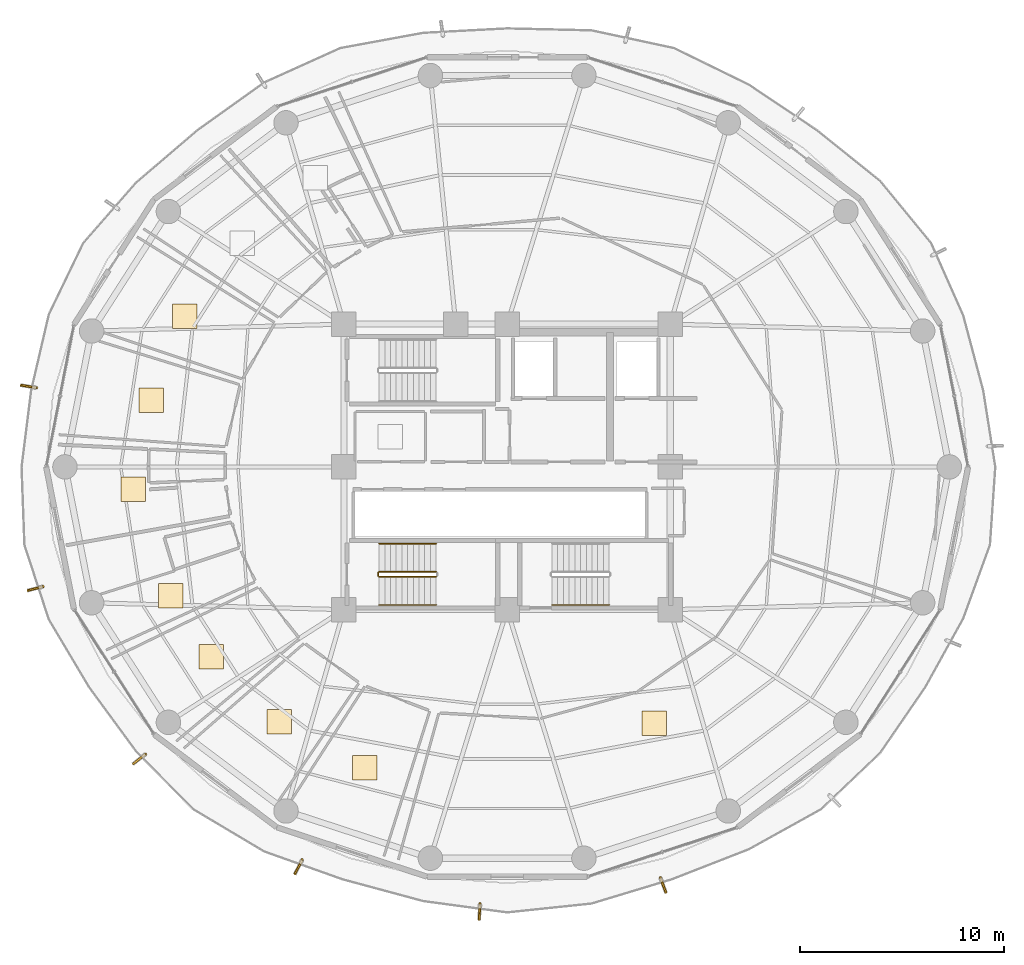
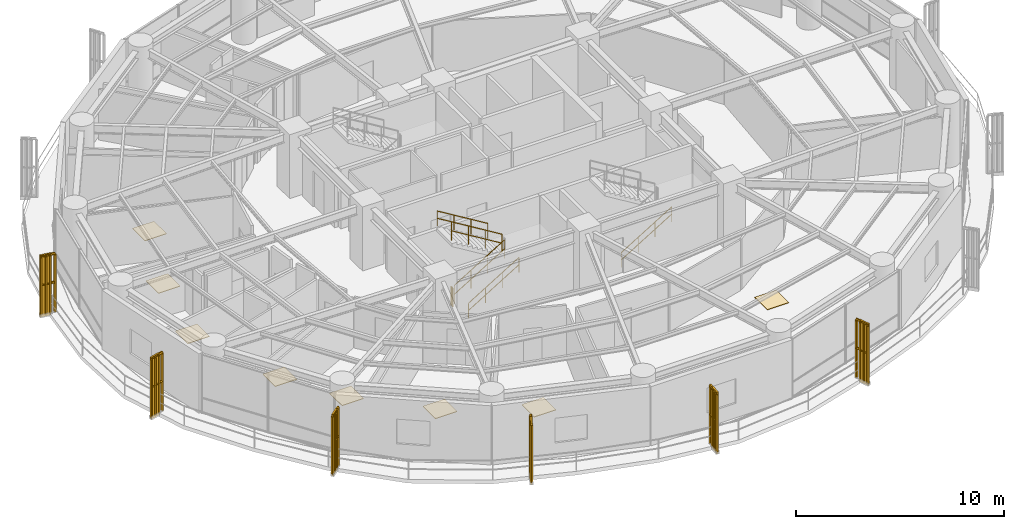
# One storey, part 25 of 28: 12 railings, 8 coverings, 6 shading devices.
"""IFC4 building model written with IfcOpenShell, lengths in metres."""

import ifcopenshell
import ifcopenshell.guid

model = None  # the IFC model being written
_history = None  # IfcOwnerHistory: only IFC2X3 demands one
_inside = {}  # id of a spatial element -> (the spatial element, [elements in it])
_under = {}  # id of a project, library or spatial element -> (it, [spatial elements below it])
_declared = {}  # id of a project -> (the project, [libraries it declares])
_typed = {}  # id of a type object -> (the type object, [elements of that type])
_made_of = {}  # id of a material, layer set ... -> (it, [elements and type objects made of it])


def new_model(schema):
    """Start an empty IFC model of exactly this schema.

    Asked for "IFC4X3", IfcOpenShell would pick the latest addendum, in which some entities
    have other attributes; the version numbers below select the first issue.
    IFC2X3 requires an IfcOwnerHistory on every rooted entity: one is made here for all.
    """
    global model, _history
    if schema == "IFC4X3":
        model = ifcopenshell.file(schema_version=(4, 3, 0, 0))
    else:
        model = ifcopenshell.file(schema=schema)
    _inside.clear()
    _under.clear()
    _declared.clear()
    _typed.clear()
    _made_of.clear()
    _history = None
    if model.schema == "IFC2X3":
        org = make("IfcOrganization", Name="unknown")
        user = make(
            "IfcPersonAndOrganization",
            ThePerson=make("IfcPerson", FamilyName="unknown"),
            TheOrganization=org,
        )
        app = make(
            "IfcApplication",
            ApplicationDeveloper=org,
            Version="unknown",
            ApplicationFullName="unknown",
            ApplicationIdentifier="unknown",
        )
        _history = make(
            "IfcOwnerHistory",
            OwningUser=user,
            OwningApplication=app,
            ChangeAction="ADDED",
            CreationDate=0,
        )
    return model


def make(cls, **values):
    """One entity of the class cls with the attributes given. An attribute that is None is left unset."""
    return model.create_entity(
        cls, **{name: value for name, value in values.items() if value is not None}
    )


def rooted(cls, **values):
    """An entity with a GlobalId (a new one), such as an element, a storey or a relation."""
    return make(cls, GlobalId=ifcopenshell.guid.new(), OwnerHistory=_history, **values)


def si_unit(unit_type, name, prefix=None):
    """IfcSIUnit, for example si_unit("LENGTHUNIT", "METRE", prefix="MILLI")."""
    return make("IfcSIUnit", UnitType=unit_type, Prefix=prefix, Name=name)


def assignment(units):
    """IfcUnitAssignment: the units of a project."""
    return None if units is None else make("IfcUnitAssignment", Units=units)


def point(xyz):
    """IfcCartesianPoint."""
    return None if xyz is None else make("IfcCartesianPoint", Coordinates=xyz)


def direction(xyz):
    """IfcDirection."""
    return None if xyz is None else make("IfcDirection", DirectionRatios=xyz)


def frame(location, z_axis=None, x_axis=None):
    """IfcAxis2Placement3D, a coordinate frame: its origin and axes. An axis left out is left unset."""
    return make(
        "IfcAxis2Placement3D",
        Location=point(location),
        Axis=direction(z_axis),
        RefDirection=direction(x_axis),
    )


def frame_2d(location, x_axis=None):
    """IfcAxis2Placement2D, a coordinate frame in the plane: its origin and x axis."""
    return make(
        "IfcAxis2Placement2D", Location=point(location), RefDirection=direction(x_axis)
    )


def origin():
    """The frame at (0, 0, 0) with its axes left unset."""
    return frame((0.0, 0.0, 0.0))


def origin_2d():
    """The frame at (0, 0) in the plane with its x axis left unset."""
    return frame_2d((0.0, 0.0))


def place(relative_to, where):
    """IfcLocalPlacement: puts the frame where relative to a parent placement (None: the world)."""
    return make(
        "IfcLocalPlacement", PlacementRelTo=relative_to, RelativePlacement=where
    )


def context(
    kind, dimensions, precision=None, world=None, true_north=None, identifier=None
):
    """IfcGeometricRepresentationContext, for example the 3D "Model" context."""
    return make(
        "IfcGeometricRepresentationContext",
        ContextIdentifier=identifier,
        ContextType=kind,
        CoordinateSpaceDimension=dimensions,
        Precision=precision,
        WorldCoordinateSystem=world,
        TrueNorth=true_north,
    )


def subcontext(parent, identifier, kind, view, scale=None):
    """IfcGeometricRepresentationSubContext, for example "Body" below "Model"."""
    return make(
        "IfcGeometricRepresentationSubContext",
        ContextIdentifier=identifier,
        ContextType=kind,
        ParentContext=parent,
        TargetScale=scale,
        TargetView=view,
    )


def project(units=None, contexts=None):
    """IfcProject with its units and contexts."""
    return rooted(
        "IfcProject",
        Name="project",
        RepresentationContexts=contexts,
        UnitsInContext=assignment(units),
    )


def spatial(cls, under=None, at=None, **own):
    """A site, building, storey or space (cls), placed at a placement, below another one or the project."""
    s = rooted(cls, ObjectPlacement=at, **own)
    if under is not None:
        _under.setdefault(under.id(), (under, []))[1].append(s)
    return s


def polyline(points):
    """IfcPolyline through the points."""
    return make("IfcPolyline", Points=[point(p) for p in points])


def profile(cls, at=None, kind="AREA", **sizes):
    """A parametric profile (cls). Its sizes go by their IFC names, for example OverallWidth=200.0."""
    return make(cls, ProfileType=kind, Position=at, **sizes)


def rectangle(**sizes):
    """IfcRectangleProfileDef."""
    return profile("IfcRectangleProfileDef", **sizes)


def outline(outer, holes=None, kind="AREA"):
    """IfcArbitraryClosedProfileDef: a profile drawn as a closed curve; with holes, ...WithVoids."""
    if holes is None:
        return make("IfcArbitraryClosedProfileDef", ProfileType=kind, OuterCurve=outer)
    return make(
        "IfcArbitraryProfileDefWithVoids",
        ProfileType=kind,
        OuterCurve=outer,
        InnerCurves=holes,
    )


def extrude(swept, where, along, depth):
    """IfcExtrudedAreaSolid: the profile swept, set in the frame where, extruded along a direction by depth."""
    return make(
        "IfcExtrudedAreaSolid",
        SweptArea=swept,
        Position=where,
        ExtrudedDirection=direction(along),
        Depth=depth,
    )


def shape(context_of_items, identifier, shape_type, items):
    """IfcShapeRepresentation: the items that make up one representation, for example the "Body"."""
    return make(
        "IfcShapeRepresentation",
        ContextOfItems=context_of_items,
        RepresentationIdentifier=identifier,
        RepresentationType=shape_type,
        Items=items,
    )


def source(mapping_origin, context_of_items, identifier, shape_type, items):
    """IfcRepresentationMap: a shape defined once, which mapped items show again and again."""
    return make(
        "IfcRepresentationMap",
        MappingOrigin=mapping_origin,
        MappedRepresentation=shape(context_of_items, identifier, shape_type, items),
    )


def transform(
    local_origin,
    x_axis=None,
    y_axis=None,
    z_axis=None,
    scale=None,
    scale2=None,
    scale3=None,
    uniform=True,
):
    """IfcCartesianTransformationOperator3D, or its non-uniform kind. x_axis, y_axis, z_axis: its Axis1, 2, 3."""
    if uniform:
        return make(
            "IfcCartesianTransformationOperator3D",
            Axis1=direction(x_axis),
            Axis2=direction(y_axis),
            LocalOrigin=point(local_origin),
            Scale=scale,
            Axis3=direction(z_axis),
        )
    return make(
        "IfcCartesianTransformationOperator3DnonUniform",
        Axis1=direction(x_axis),
        Axis2=direction(y_axis),
        LocalOrigin=point(local_origin),
        Scale=scale,
        Axis3=direction(z_axis),
        Scale2=scale2,
        Scale3=scale3,
    )


def mapped(mapping_source, mapping_target):
    """IfcMappedItem: shows the shape of a source again, moved by a transform."""
    return make(
        "IfcMappedItem", MappingSource=mapping_source, MappingTarget=mapping_target
    )


def material(Name=None, Category=None):
    """IfcMaterial."""
    return make("IfcMaterial", Name=Name, Category=Category)


def layer(
    of_material, thickness, ventilated=None, Name=None, Category=None, Priority=None
):
    """IfcMaterialLayer: one layer of a wall or slab, of a material (None: an air gap)."""
    return make(
        "IfcMaterialLayer",
        Material=of_material,
        LayerThickness=thickness,
        IsVentilated=ventilated,
        Name=Name,
        Category=Category,
        Priority=Priority,
    )


def layer_set(layers, Name=None):
    """IfcMaterialLayerSet."""
    return make("IfcMaterialLayerSet", MaterialLayers=layers, LayerSetName=Name)


def made_of(thing, what):
    """Note that an element or type object is made of a material, layer set ...; save() writes the relation."""
    if what is not None:
        _made_of.setdefault(what.id(), (what, []))[1].append(thing)
    return thing


def type_object(cls, material=None, **own):
    """A type object (cls), such as IfcWallType, which elements share."""
    return made_of(rooted(cls, **own), material)


def element(
    cls,
    number,
    at=None,
    inside=None,
    cuts=None,
    type_object=None,
    material=None,
    context=None,
    identifier="Body",
    shape_type=None,
    held_by="IfcProductDefinitionShape",
    body=None,
    shapes=None,
    **own,
):
    """One element of the class cls, such as IfcWall. Its Tag is "e" and its number.

    at: its placement. inside: the storey or other place that contains it. cuts: it is an
    opening in that element (IfcRelVoidsElement). A single representation is given by context,
    identifier, shape_type and body (its items); several are given by shapes. held_by: the class
    of the entity that holds the representations. save() writes the other relations.
    """
    e = rooted(cls, Tag="e%d" % number, ObjectPlacement=at, **own)
    if body is not None:
        shapes = [shape(context, identifier, shape_type, body)]
    if shapes is not None:
        e.Representation = make(held_by, Representations=shapes)
    if inside is not None:
        _inside.setdefault(inside.id(), (inside, []))[1].append(e)
    if cuts is not None:
        rooted(
            "IfcRelVoidsElement", RelatingBuildingElement=cuts, RelatedOpeningElement=e
        )
    if type_object is not None:
        _typed.setdefault(type_object.id(), (type_object, []))[1].append(e)
    return made_of(e, material)


def aggregate(whole, parts):
    """IfcRelAggregates: a whole, such as a stair, and the parts it consists of."""
    return rooted("IfcRelAggregates", RelatingObject=whole, RelatedObjects=parts)


def save(model, path):
    """Write the relations noted so far, then the file.

    IfcRelAggregates (storeys below a building ...), IfcRelContainedInSpatialStructure (elements
    in a storey), IfcRelDefinesByType, IfcRelAssociatesMaterial and IfcRelDeclares: one each for
    every whole, place, type object, material and project.
    """
    for whole, parts in _under.values():
        aggregate(whole, parts)
    for where, things in _inside.values():
        rooted(
            "IfcRelContainedInSpatialStructure",
            RelatedElements=things,
            RelatingStructure=where,
        )
    for kind, things in _typed.values():
        rooted("IfcRelDefinesByType", RelatedObjects=things, RelatingType=kind)
    for what, things in _made_of.values():
        rooted("IfcRelAssociatesMaterial", RelatedObjects=things, RelatingMaterial=what)
    for by, libraries in _declared.values():
        rooted("IfcRelDeclares", RelatingContext=by, RelatedDefinitions=libraries)
    model.write(path)


model = new_model("IFC4")

# Units and contexts
model_context = context("Model", 3, precision=1e-05, world=origin(), true_north=direction((0.0, 1.0)))
body_context = subcontext(model_context, "Body", "Model", "MODEL_VIEW")
ifc_project = project(units=[si_unit("LENGTHUNIT", "METRE"), si_unit("AREAUNIT", "SQUARE_METRE"), si_unit("VOLUMEUNIT", "CUBIC_METRE"), si_unit("PLANEANGLEUNIT", "RADIAN"), si_unit("MASSUNIT", "GRAM", prefix="KILO")], contexts=[model_context])

# Site, building, storey
site_placement = place(None, origin())
site = spatial("IfcSite", under=ifc_project, at=site_placement, CompositionType="ELEMENT")
building_placement = place(site_placement, origin())
building = spatial("IfcBuilding", under=site, at=building_placement, Name="Kelanora Arch Commons", CompositionType="ELEMENT")
storey_placement = place(building_placement, frame((0.0, 0.0, 180.60009765625)))
storey = spatial("IfcBuildingStorey", under=building, at=storey_placement, Name="L46", CompositionType="ELEMENT", Elevation=180.60009765625)

# Railings
ifc_material_1 = material(Name="Anodised bronze vertical shading fin rib assembly")
railing_type_1 = type_object("IfcRailingType", Name="RAIL-FIN-BRZ", PredefinedType="BALUSTRADE", material=ifc_material_1)
railing_1_placement = place(storey_placement, frame((50.918701171875, 61.8798828125, -0.02001953125)))
element("IfcRailing", 1, at=railing_1_placement, inside=storey, type_object=railing_type_1, Name="Sweeping Bronze Vertical Fin Blade L46-08", PredefinedType="BALUSTRADE", context=body_context, shape_type="SweptSolid", body=[
    extrude(outline(polyline([(0.06982421875, 0.0), (0.034912109375, 0.060546875), (-0.034912109375, 0.060546875), (-0.06982421875, 0.0), (-0.034912109375, -0.060546875), (0.034912109375, -0.060546875), (0.06982421875, 0.0)])), frame((0.0, 0.0, 3.419921875), z_axis=(-0.986158490558, 0.165805402506, 0.0), x_axis=(-0.165805402506, -0.986158490558, 0.0)), (0.0, 0.0, 1.0), 0.731689453125),
    extrude(outline(polyline([(0.06982421875, 0.0), (0.034912109375, 0.060546875), (-0.034912109375, 0.060546875), (-0.06982421875, 0.0), (-0.034912109375, -0.060546875), (0.034912109375, -0.060546875), (0.06982421875, 0.0)])), frame((0.0, 0.0, 1.7451171875), z_axis=(-0.986158490558, 0.165805402506, 0.0), x_axis=(-0.165805402506, -0.986158490558, 0.0)), (0.0, 0.0, 1.0), 0.731689453125),
    extrude(outline(polyline([(0.080078125, 0.0), (0.0400390625, 0.0693359375), (-0.0400390625, 0.0693359375), (-0.080078125, 0.0), (-0.0400390625, -0.0693359375), (0.0400390625, -0.0693359375), (0.080078125, 0.0)])), origin(), (0.0, 0.0, 1.0), 3.35009765625),
    extrude(outline(polyline([(0.080078125, 0.0), (0.0400390625, 0.0693359375), (-0.0400390625, 0.0693359375), (-0.080078125, 0.0), (-0.0400390625, -0.0693359375), (0.0400390625, -0.0693359375), (0.080078125, 0.0)])), frame((-0.240478515625, 0.04052734375, 0.0)), (0.0, 0.0, 1.0), 3.35009765625),
    extrude(outline(polyline([(0.080078125, 0.0), (0.0400390625, 0.0693359375), (-0.0400390625, 0.0693359375), (-0.080078125, 0.0), (-0.0400390625, -0.0693359375), (0.0400390625, -0.0693359375), (0.080078125, 0.0)])), frame((-0.481201171875, 0.080810546875, 0.0)), (0.0, 0.0, 1.0), 3.35009765625),
    extrude(outline(polyline([(0.080078125, 0.0), (0.0400390625, 0.0693359375), (-0.0400390625, 0.0693359375), (-0.080078125, 0.0), (-0.0400390625, -0.0693359375), (0.0400390625, -0.0693359375), (0.080078125, 0.0)])), frame((-0.7216796875, 0.121337890625, 0.0)), (0.0, 0.0, 1.0), 3.35009765625),
])
railing_2_placement = place(storey_placement, frame((51.234619140625, 52.13037109375, -0.02001953125)))
element("IfcRailing", 2, at=railing_2_placement, inside=storey, type_object=railing_type_1, Name="Sweeping Bronze Vertical Fin Blade L46-09", PredefinedType="BALUSTRADE", context=body_context, shape_type="SweptSolid", body=[
    extrude(outline(polyline([(0.06982421875, 0.0), (0.034912109375, 0.060546875), (-0.034912109375, 0.060546875), (-0.06982421875, 0.0), (-0.034912109375, -0.060546875), (0.034912109375, -0.060546875), (0.06982421875, 0.0)])), frame((0.0, 0.0, 3.419921875), z_axis=(-0.968269510805, -0.249908292072, 0.0), x_axis=(0.249908292072, -0.968269510805, 0.0)), (0.0, 0.0, 1.0), 0.731689453125),
    extrude(outline(polyline([(0.06982421875, 0.0), (0.034912109375, 0.060546875), (-0.034912109375, 0.060546875), (-0.06982421875, 0.0), (-0.034912109375, -0.060546875), (0.034912109375, -0.060546875), (0.06982421875, 0.0)])), frame((0.0, 0.0, 1.7451171875), z_axis=(-0.968269510805, -0.249908292072, 0.0), x_axis=(0.249908292072, -0.968269510805, 0.0)), (0.0, 0.0, 1.0), 0.731689453125),
    extrude(outline(polyline([(0.080078125, 0.0), (0.0400390625, 0.0693359375), (-0.0400390625, 0.0693359375), (-0.080078125, 0.0), (-0.0400390625, -0.0693359375), (0.0400390625, -0.0693359375), (0.080078125, 0.0)])), origin(), (0.0, 0.0, 1.0), 3.35009765625),
    extrude(outline(polyline([(0.080078125, 0.0), (0.0400390625, 0.0693359375), (-0.0400390625, 0.0693359375), (-0.080078125, 0.0), (-0.0400390625, -0.0693359375), (0.0400390625, -0.0693359375), (0.080078125, 0.0)])), frame((-0.236083984375, -0.06103515625, 0.0)), (0.0, 0.0, 1.0), 3.35009765625),
    extrude(outline(polyline([(0.080078125, 0.0), (0.0400390625, 0.0693359375), (-0.0400390625, 0.0693359375), (-0.080078125, 0.0), (-0.0400390625, -0.0693359375), (0.0400390625, -0.0693359375), (0.080078125, 0.0)])), frame((-0.472412109375, -0.121826171875, 0.0)), (0.0, 0.0, 1.0), 3.35009765625),
    extrude(outline(polyline([(0.080078125, 0.0), (0.0400390625, 0.0693359375), (-0.0400390625, 0.0693359375), (-0.080078125, 0.0), (-0.0400390625, -0.0693359375), (0.0400390625, -0.0693359375), (0.080078125, 0.0)])), frame((-0.70849609375, -0.182861328125, 0.0)), (0.0, 0.0, 1.0), 3.35009765625),
])
railing_3_placement = place(storey_placement, frame((56.26171875, 43.911376953125, -0.02001953125)))
element("IfcRailing", 3, at=railing_3_placement, inside=storey, type_object=railing_type_1, Name="Sweeping Bronze Vertical Fin Blade L46-10", PredefinedType="BALUSTRADE", context=body_context, shape_type="SweptSolid", body=[
    extrude(outline(polyline([(0.06982421875, 0.0), (0.034912109375, 0.060546875), (-0.034912109375, 0.060546875), (-0.06982421875, 0.0), (-0.034912109375, -0.060546875), (0.034912109375, -0.060546875), (0.06982421875, 0.0)])), frame((0.0, 0.0, 3.419921875), z_axis=(-0.78320639482, -0.621761805769, 0.0), x_axis=(0.621761805769, -0.78320639482, 0.0)), (0.0, 0.0, 1.0), 0.73193359375),
    extrude(outline(polyline([(0.06982421875, 0.0), (0.034912109375, 0.060546875), (-0.034912109375, 0.060546875), (-0.06982421875, 0.0), (-0.034912109375, -0.060546875), (0.034912109375, -0.060546875), (0.06982421875, 0.0)])), frame((0.0, 0.0, 1.7451171875), z_axis=(-0.78320639482, -0.621761805769, 0.0), x_axis=(0.621761805769, -0.78320639482, 0.0)), (0.0, 0.0, 1.0), 0.73193359375),
    extrude(outline(polyline([(0.080078125, 0.0), (0.0400390625, 0.0693359375), (-0.0400390625, 0.0693359375), (-0.080078125, 0.0), (-0.0400390625, -0.0693359375), (0.0400390625, -0.0693359375), (0.080078125, 0.0)])), origin(), (0.0, 0.0, 1.0), 3.35009765625),
    extrude(outline(polyline([(0.080078125, 0.0), (0.0400390625, 0.0693359375), (-0.0400390625, 0.0693359375), (-0.080078125, 0.0), (-0.0400390625, -0.0693359375), (0.0400390625, -0.0693359375), (0.080078125, 0.0)])), frame((-0.191162109375, -0.151611328125, 0.0)), (0.0, 0.0, 1.0), 3.35009765625),
    extrude(outline(polyline([(0.080078125, 0.0), (0.0400390625, 0.0693359375), (-0.0400390625, 0.0693359375), (-0.080078125, 0.0), (-0.0400390625, -0.0693359375), (0.0400390625, -0.0693359375), (0.080078125, 0.0)])), frame((-0.382080078125, -0.303466796875, 0.0)), (0.0, 0.0, 1.0), 3.35009765625),
    extrude(outline(polyline([(0.080078125, 0.0), (0.0400390625, 0.0693359375), (-0.0400390625, 0.0693359375), (-0.080078125, 0.0), (-0.0400390625, -0.0693359375), (0.0400390625, -0.0693359375), (0.080078125, 0.0)])), frame((-0.5732421875, -0.455078125, 0.0)), (0.0, 0.0, 1.0), 3.35009765625),
])
railing_4_placement = place(storey_placement, frame((63.9462890625, 38.721435546875, -0.02001953125)))
element("IfcRailing", 4, at=railing_4_placement, inside=storey, type_object=railing_type_1, Name="Sweeping Bronze Vertical Fin Blade L46-11", PredefinedType="BALUSTRADE", context=body_context, shape_type="SweptSolid", body=[
    extrude(outline(polyline([(0.06982421875, 0.0), (0.034912109375, 0.060546875), (-0.034912109375, 0.060546875), (-0.06982421875, 0.0), (-0.034912109375, -0.060546875), (0.034912109375, -0.060546875), (0.06982421875, 0.0)])), frame((0.0, 0.0, 3.419921875), z_axis=(-0.462497581034, -0.886620543151, 0.0), x_axis=(0.886620543151, -0.462497581034, 0.0)), (0.0, 0.0, 1.0), 0.731689453125),
    extrude(outline(polyline([(0.06982421875, 0.0), (0.034912109375, 0.060546875), (-0.034912109375, 0.060546875), (-0.06982421875, 0.0), (-0.034912109375, -0.060546875), (0.034912109375, -0.060546875), (0.06982421875, 0.0)])), frame((0.0, 0.0, 1.7451171875), z_axis=(-0.462497581034, -0.886620543151, 0.0), x_axis=(0.886620543151, -0.462497581034, 0.0)), (0.0, 0.0, 1.0), 0.731689453125),
    extrude(outline(polyline([(0.080078125, 0.0), (0.0400390625, 0.0693359375), (-0.0400390625, 0.0693359375), (-0.080078125, 0.0), (-0.0400390625, -0.0693359375), (0.0400390625, -0.0693359375), (0.080078125, 0.0)])), origin(), (0.0, 0.0, 1.0), 3.35009765625),
    extrude(outline(polyline([(0.080078125, 0.0), (0.0400390625, 0.0693359375), (-0.0400390625, 0.0693359375), (-0.080078125, 0.0), (-0.0400390625, -0.0693359375), (0.0400390625, -0.0693359375), (0.080078125, 0.0)])), frame((-0.11279296875, -0.21630859375, 0.0)), (0.0, 0.0, 1.0), 3.35009765625),
    extrude(outline(polyline([(0.080078125, 0.0), (0.0400390625, 0.0693359375), (-0.0400390625, 0.0693359375), (-0.080078125, 0.0), (-0.0400390625, -0.0693359375), (0.0400390625, -0.0693359375), (0.080078125, 0.0)])), frame((-0.2255859375, -0.432373046875, 0.0)), (0.0, 0.0, 1.0), 3.35009765625),
    extrude(outline(polyline([(0.080078125, 0.0), (0.0400390625, 0.0693359375), (-0.0400390625, 0.0693359375), (-0.080078125, 0.0), (-0.0400390625, -0.0693359375), (0.0400390625, -0.0693359375), (0.080078125, 0.0)])), frame((-0.33837890625, -0.648681640625, 0.0)), (0.0, 0.0, 1.0), 3.35009765625),
])
railing_5_placement = place(storey_placement, frame((72.673095703125, 36.562744140625, -0.02001953125)))
element("IfcRailing", 5, at=railing_5_placement, inside=storey, type_object=railing_type_1, Name="Sweeping Bronze Vertical Fin Blade L46-12", PredefinedType="BALUSTRADE", context=body_context, shape_type="SweptSolid", body=[
    extrude(outline(polyline([(0.06982421875, 0.0), (0.034912109375, 0.060546875), (-0.034912109375, 0.060546875), (-0.06982421875, 0.0), (-0.034912109375, -0.060546875), (0.034912109375, -0.060546875), (0.06982421875, 0.0)])), frame((0.0, 0.0, 3.419921875), z_axis=(-0.061713693276, -0.99809389341, 0.0), x_axis=(0.99809389341, -0.061713693276, 0.0)), (0.0, 0.0, 1.0), 0.73193359375),
    extrude(outline(polyline([(0.06982421875, 0.0), (0.034912109375, 0.060546875), (-0.034912109375, 0.060546875), (-0.06982421875, 0.0), (-0.034912109375, -0.060546875), (0.034912109375, -0.060546875), (0.06982421875, 0.0)])), frame((0.0, 0.0, 1.7451171875), z_axis=(-0.061713693276, -0.99809389341, 0.0), x_axis=(0.99809389341, -0.061713693276, 0.0)), (0.0, 0.0, 1.0), 0.73193359375),
    extrude(outline(polyline([(0.080078125, 0.0), (0.0400390625, 0.0693359375), (-0.0400390625, 0.0693359375), (-0.080078125, 0.0), (-0.0400390625, -0.0693359375), (0.0400390625, -0.0693359375), (0.080078125, 0.0)])), origin(), (0.0, 0.0, 1.0), 3.35009765625),
    extrude(outline(polyline([(0.080078125, 0.0), (0.0400390625, 0.0693359375), (-0.0400390625, 0.0693359375), (-0.080078125, 0.0), (-0.0400390625, -0.0693359375), (0.0400390625, -0.0693359375), (0.080078125, 0.0)])), frame((-0.01513671875, -0.243408203125, 0.0)), (0.0, 0.0, 1.0), 3.35009765625),
    extrude(outline(polyline([(0.080078125, 0.0), (0.0400390625, 0.0693359375), (-0.0400390625, 0.0693359375), (-0.080078125, 0.0), (-0.0400390625, -0.0693359375), (0.0400390625, -0.0693359375), (0.080078125, 0.0)])), frame((-0.030029296875, -0.487060546875, 0.0)), (0.0, 0.0, 1.0), 3.35009765625),
    extrude(outline(polyline([(0.080078125, 0.0), (0.0400390625, 0.0693359375), (-0.0400390625, 0.0693359375), (-0.080078125, 0.0), (-0.0400390625, -0.0693359375), (0.0400390625, -0.0693359375), (0.080078125, 0.0)])), frame((-0.045166015625, -0.73046875, 0.0)), (0.0, 0.0, 1.0), 3.35009765625),
])
railing_6_placement = place(storey_placement, frame((81.51806640625, 37.84716796875, -0.02001953125)))
element("IfcRailing", 6, at=railing_6_placement, inside=storey, type_object=railing_type_1, Name="Sweeping Bronze Vertical Fin Blade L46-13", PredefinedType="BALUSTRADE", context=body_context, shape_type="SweptSolid", body=[
    extrude(outline(polyline([(0.06982421875, 0.0), (0.034912109375, 0.060546875), (-0.034912109375, 0.060546875), (-0.06982421875, 0.0), (-0.034912109375, -0.060546875), (0.034912109375, -0.060546875), (0.06982421875, 0.0)])), frame((0.0, 0.0, 3.419921875), z_axis=(0.349367553325, -0.936985759061, 0.0), x_axis=(0.936985759061, 0.349367553325, 0.0)), (0.0, 0.0, 1.0), 0.731689453125),
    extrude(outline(polyline([(0.06982421875, 0.0), (0.034912109375, 0.060546875), (-0.034912109375, 0.060546875), (-0.06982421875, 0.0), (-0.034912109375, -0.060546875), (0.034912109375, -0.060546875), (0.06982421875, 0.0)])), frame((0.0, 0.0, 1.7451171875), z_axis=(0.349367553325, -0.936985759061, 0.0), x_axis=(0.936985759061, 0.349367553325, 0.0)), (0.0, 0.0, 1.0), 0.731689453125),
    extrude(outline(polyline([(0.080078125, 0.0), (0.0400390625, 0.0693359375), (-0.0400390625, 0.0693359375), (-0.080078125, 0.0), (-0.0400390625, -0.0693359375), (0.0400390625, -0.0693359375), (0.080078125, 0.0)])), origin(), (0.0, 0.0, 1.0), 3.35009765625),
    extrude(outline(polyline([(0.080078125, 0.0), (0.0400390625, 0.0693359375), (-0.0400390625, 0.0693359375), (-0.080078125, 0.0), (-0.0400390625, -0.0693359375), (0.0400390625, -0.0693359375), (0.080078125, 0.0)])), frame((0.085205078125, -0.228515625, 0.0)), (0.0, 0.0, 1.0), 3.35009765625),
    extrude(outline(polyline([(0.080078125, 0.0), (0.0400390625, 0.0693359375), (-0.0400390625, 0.0693359375), (-0.080078125, 0.0), (-0.0400390625, -0.0693359375), (0.0400390625, -0.0693359375), (0.080078125, 0.0)])), frame((0.17041015625, -0.45703125, 0.0)), (0.0, 0.0, 1.0), 3.35009765625),
    extrude(outline(polyline([(0.080078125, 0.0), (0.0400390625, 0.0693359375), (-0.0400390625, 0.0693359375), (-0.080078125, 0.0), (-0.0400390625, -0.0693359375), (0.0400390625, -0.0693359375), (0.080078125, 0.0)])), frame((0.255615234375, -0.685546875, 0.0)), (0.0, 0.0, 1.0), 3.35009765625),
])
ifc_material_2 = material(Name="Painted steel stair well guard", Category="steel")
railing_type_2 = type_object("IfcRailingType", Name="RAIL-STAIR-GRD", PredefinedType="GUARDRAIL", material=ifc_material_2)
railing_7_placement = place(storey_placement, frame((67.719970703125, 52.610107421875, 0.17041015625)))
element("IfcRailing", 7, at=railing_7_placement, inside=storey, type_object=railing_type_2, Name="L46 ST-T3 stair guard 1", PredefinedType="GUARDRAIL", context=body_context, shape_type="SweptSolid", body=[
    extrude(outline(polyline([(0.02392578125, 0.0), (0.011962890625, 0.020751953125), (-0.011962890625, 0.020751953125), (-0.02392578125, 0.0), (-0.011962890625, -0.020751953125), (0.011962890625, -0.020751953125), (0.02392578125, 0.0)])), frame((0.0, 0.0, 1.076171875), z_axis=(0.854169791009, 0.0, 0.51999420009), x_axis=(0.0, 1.0, 0.0)), (0.0, 0.0, 1.0), 3.278076171875),
    extrude(outline(polyline([(0.02392578125, 0.0), (0.011962890625, 0.020751953125), (-0.011962890625, 0.020751953125), (-0.02392578125, 0.0), (-0.011962890625, -0.020751953125), (0.011962890625, -0.020751953125), (0.02392578125, 0.0)])), frame((0.0, 0.0, 0.550048828125), z_axis=(0.854169791009, 0.0, 0.51999420009), x_axis=(0.0, 1.0, 0.0)), (0.0, 0.0, 1.0), 3.278076171875),
    extrude(outline(polyline([(0.02099609375, 0.0), (0.010498046875, 0.01806640625), (-0.010498046875, 0.01806640625), (-0.02099609375, 0.0), (-0.010498046875, -0.01806640625), (0.010498046875, -0.01806640625), (0.02099609375, 0.0)])), origin(), (0.0, 0.0, 1.0), 1.052001953125),
    extrude(outline(polyline([(0.02099609375, 0.0), (0.010498046875, 0.01806640625), (-0.010498046875, 0.01806640625), (-0.02099609375, 0.0), (-0.010498046875, -0.01806640625), (0.010498046875, -0.01806640625), (0.02099609375, 0.0)])), frame((0.933349609375, 0.0, 0.568115234375)), (0.0, 0.0, 1.0), 1.052001953125),
    extrude(outline(polyline([(0.02099609375, 0.0), (0.010498046875, 0.01806640625), (-0.010498046875, 0.01806640625), (-0.02099609375, 0.0), (-0.010498046875, -0.01806640625), (0.010498046875, -0.01806640625), (0.02099609375, 0.0)])), frame((1.86669921875, 0.0, 1.136474609375)), (0.0, 0.0, 1.0), 1.052001953125),
    extrude(outline(polyline([(0.02099609375, 0.0), (0.010498046875, 0.01806640625), (-0.010498046875, 0.01806640625), (-0.02099609375, 0.0), (-0.010498046875, -0.01806640625), (0.010498046875, -0.01806640625), (0.02099609375, 0.0)])), frame((2.800048828125, 0.0, 1.70458984375)), (0.0, 0.0, 1.0), 1.052001953125),
])
railing_8_placement = place(storey_placement, frame((70.52001953125, 52.860107421875, 2.04541015625)))
element("IfcRailing", 8, at=railing_8_placement, inside=storey, type_object=railing_type_2, Name="L46 ST-T3 stair guard 3", PredefinedType="GUARDRAIL", context=body_context, shape_type="SweptSolid", body=[
    extrude(outline(polyline([(0.02392578125, 0.0), (0.011962890625, 0.020751953125), (-0.011962890625, 0.020751953125), (-0.02392578125, 0.0), (-0.011962890625, -0.020751953125), (0.011962890625, -0.020751953125), (0.02392578125, 0.0)])), frame((0.0, 0.0, 1.076171875), z_axis=(-0.854169791009, 0.0, 0.51999420009), x_axis=(0.0, -1.0, 0.0)), (0.0, 0.0, 1.0), 3.278076171875),
    extrude(outline(polyline([(0.02392578125, 0.0), (0.011962890625, 0.020751953125), (-0.011962890625, 0.020751953125), (-0.02392578125, 0.0), (-0.011962890625, -0.020751953125), (0.011962890625, -0.020751953125), (0.02392578125, 0.0)])), frame((0.0, 0.0, 0.550048828125), z_axis=(-0.854169791009, 0.0, 0.51999420009), x_axis=(0.0, -1.0, 0.0)), (0.0, 0.0, 1.0), 3.278076171875),
    extrude(outline(polyline([(0.02099609375, 0.0), (0.010498046875, 0.01806640625), (-0.010498046875, 0.01806640625), (-0.02099609375, 0.0), (-0.010498046875, -0.01806640625), (0.010498046875, -0.01806640625), (0.02099609375, 0.0)])), origin(), (0.0, 0.0, 1.0), 1.052001953125),
    extrude(outline(polyline([(0.02099609375, 0.0), (0.010498046875, 0.01806640625), (-0.010498046875, 0.01806640625), (-0.02099609375, 0.0), (-0.010498046875, -0.01806640625), (0.010498046875, -0.01806640625), (0.02099609375, 0.0)])), frame((-0.933349609375, 0.0, 0.568115234375)), (0.0, 0.0, 1.0), 1.052001953125),
    extrude(outline(polyline([(0.02099609375, 0.0), (0.010498046875, 0.01806640625), (-0.010498046875, 0.01806640625), (-0.02099609375, 0.0), (-0.010498046875, -0.01806640625), (0.010498046875, -0.01806640625), (0.02099609375, 0.0)])), frame((-1.86669921875, 0.0, 1.136474609375)), (0.0, 0.0, 1.0), 1.052001953125),
    extrude(outline(polyline([(0.02099609375, 0.0), (0.010498046875, 0.01806640625), (-0.010498046875, 0.01806640625), (-0.02099609375, 0.0), (-0.010498046875, -0.01806640625), (0.010498046875, -0.01806640625), (0.02099609375, 0.0)])), frame((-2.800048828125, 0.0, 1.70458984375)), (0.0, 0.0, 1.0), 1.052001953125),
])
railing_9_placement = place(storey_placement, frame((67.669921875, 52.659912109375, 0.0)))
element("IfcRailing", 9, at=railing_9_placement, inside=storey, type_object=railing_type_2, Name="L46 ST-T3 stair guard 4", PredefinedType="GUARDRAIL", context=body_context, shape_type="SweptSolid", body=[
    extrude(outline(polyline([(0.02392578125, 0.0), (0.011962890625, 0.020751953125), (-0.011962890625, 0.020751953125), (-0.02392578125, 0.0), (-0.011962890625, -0.020751953125), (0.011962890625, -0.020751953125), (0.02392578125, 0.0)])), frame((0.0, 0.0, 1.076171875), z_axis=(0.0, 1.0, 0.0), x_axis=(-1.0, 0.0, 0.0)), (0.0, 0.0, 1.0), 0.150146484375),
    extrude(outline(polyline([(0.02392578125, 0.0), (0.011962890625, 0.020751953125), (-0.011962890625, 0.020751953125), (-0.02392578125, 0.0), (-0.011962890625, -0.020751953125), (0.011962890625, -0.020751953125), (0.02392578125, 0.0)])), frame((0.0, 0.0, 0.550048828125), z_axis=(0.0, 1.0, 0.0), x_axis=(-1.0, 0.0, 0.0)), (0.0, 0.0, 1.0), 0.150146484375),
    extrude(outline(polyline([(0.02099609375, 0.0), (0.010498046875, 0.01806640625), (-0.010498046875, 0.01806640625), (-0.02099609375, 0.0), (-0.010498046875, -0.01806640625), (0.010498046875, -0.01806640625), (0.02099609375, 0.0)])), origin(), (0.0, 0.0, 1.0), 1.052001953125),
    extrude(outline(polyline([(0.02099609375, 0.0), (0.010498046875, 0.01806640625), (-0.010498046875, 0.01806640625), (-0.02099609375, 0.0), (-0.010498046875, -0.01806640625), (0.010498046875, -0.01806640625), (0.02099609375, 0.0)])), frame((0.0, 0.150146484375, 0.0)), (0.0, 0.0, 1.0), 1.052001953125),
])
ifc_material_3 = material(Name="Brushed stainless steel stair handrail", Category="steel")
railing_type_3 = type_object("IfcRailingType", Name="RAIL-STAIR-HND", PredefinedType="HANDRAIL", material=ifc_material_3)
railing_10_placement = place(storey_placement, frame((76.199951171875, 51.22998046875, 0.17041015625)))
element("IfcRailing", 10, at=railing_10_placement, inside=storey, type_object=railing_type_3, Name="L46 ST-T2 stair handrail 1", PredefinedType="HANDRAIL", context=body_context, shape_type="SweptSolid", body=[
    extrude(outline(polyline([(0.02392578125, 0.0), (0.011962890625, 0.020751953125), (-0.011962890625, 0.020751953125), (-0.02392578125, 0.0), (-0.011962890625, -0.020751953125), (0.011962890625, -0.020751953125), (0.02392578125, 0.0)])), frame((0.0, 0.0, 0.8759765625), z_axis=(0.854169791009, 0.0, 0.51999420009), x_axis=(0.0, 1.0, 0.0)), (0.0, 0.0, 1.0), 3.278076171875),
    extrude(outline(polyline([(0.02392578125, 0.0), (0.011962890625, 0.020751953125), (-0.011962890625, 0.020751953125), (-0.02392578125, 0.0), (-0.011962890625, -0.020751953125), (0.011962890625, -0.020751953125), (0.02392578125, 0.0)])), frame((0.0, 0.0, 0.449951171875), z_axis=(0.854169791009, 0.0, 0.51999420009), x_axis=(0.0, 1.0, 0.0)), (0.0, 0.0, 1.0), 3.278076171875),
    extrude(outline(polyline([(0.02099609375, 0.0), (0.010498046875, 0.01806640625), (-0.010498046875, 0.01806640625), (-0.02099609375, 0.0), (-0.010498046875, -0.01806640625), (0.010498046875, -0.01806640625), (0.02099609375, 0.0)])), origin(), (0.0, 0.0, 1.0), 0.851806640625),
    extrude(outline(polyline([(0.02099609375, 0.0), (0.010498046875, 0.01806640625), (-0.010498046875, 0.01806640625), (-0.02099609375, 0.0), (-0.010498046875, -0.01806640625), (0.010498046875, -0.01806640625), (0.02099609375, 0.0)])), frame((0.933349609375, 0.0, 0.568115234375)), (0.0, 0.0, 1.0), 0.851806640625),
    extrude(outline(polyline([(0.02099609375, 0.0), (0.010498046875, 0.01806640625), (-0.010498046875, 0.01806640625), (-0.02099609375, 0.0), (-0.010498046875, -0.01806640625), (0.010498046875, -0.01806640625), (0.02099609375, 0.0)])), frame((1.86669921875, 0.0, 1.136474609375)), (0.0, 0.0, 1.0), 0.851806640625),
    extrude(outline(polyline([(0.02099609375, 0.0), (0.010498046875, 0.01806640625), (-0.010498046875, 0.01806640625), (-0.02099609375, 0.0), (-0.010498046875, -0.01806640625), (0.010498046875, -0.01806640625), (0.02099609375, 0.0)])), frame((2.800048828125, 0.0, 1.70458984375)), (0.0, 0.0, 1.0), 0.851806640625),
])
railing_11_placement = place(storey_placement, frame((67.719970703125, 51.22998046875, 0.17041015625)))
element("IfcRailing", 11, at=railing_11_placement, inside=storey, type_object=railing_type_3, Name="L46 ST-T3 stair handrail 1", PredefinedType="HANDRAIL", context=body_context, shape_type="SweptSolid", body=[
    extrude(outline(polyline([(0.02392578125, 0.0), (0.011962890625, 0.020751953125), (-0.011962890625, 0.020751953125), (-0.02392578125, 0.0), (-0.011962890625, -0.020751953125), (0.011962890625, -0.020751953125), (0.02392578125, 0.0)])), frame((0.0, 0.0, 0.8759765625), z_axis=(0.854169791009, 0.0, 0.51999420009), x_axis=(0.0, 1.0, 0.0)), (0.0, 0.0, 1.0), 3.278076171875),
    extrude(outline(polyline([(0.02392578125, 0.0), (0.011962890625, 0.020751953125), (-0.011962890625, 0.020751953125), (-0.02392578125, 0.0), (-0.011962890625, -0.020751953125), (0.011962890625, -0.020751953125), (0.02392578125, 0.0)])), frame((0.0, 0.0, 0.449951171875), z_axis=(0.854169791009, 0.0, 0.51999420009), x_axis=(0.0, 1.0, 0.0)), (0.0, 0.0, 1.0), 3.278076171875),
    extrude(outline(polyline([(0.02099609375, 0.0), (0.010498046875, 0.01806640625), (-0.010498046875, 0.01806640625), (-0.02099609375, 0.0), (-0.010498046875, -0.01806640625), (0.010498046875, -0.01806640625), (0.02099609375, 0.0)])), origin(), (0.0, 0.0, 1.0), 0.851806640625),
    extrude(outline(polyline([(0.02099609375, 0.0), (0.010498046875, 0.01806640625), (-0.010498046875, 0.01806640625), (-0.02099609375, 0.0), (-0.010498046875, -0.01806640625), (0.010498046875, -0.01806640625), (0.02099609375, 0.0)])), frame((0.933349609375, 0.0, 0.568115234375)), (0.0, 0.0, 1.0), 0.851806640625),
    extrude(outline(polyline([(0.02099609375, 0.0), (0.010498046875, 0.01806640625), (-0.010498046875, 0.01806640625), (-0.02099609375, 0.0), (-0.010498046875, -0.01806640625), (0.010498046875, -0.01806640625), (0.02099609375, 0.0)])), frame((1.86669921875, 0.0, 1.136474609375)), (0.0, 0.0, 1.0), 0.851806640625),
    extrude(outline(polyline([(0.02099609375, 0.0), (0.010498046875, 0.01806640625), (-0.010498046875, 0.01806640625), (-0.02099609375, 0.0), (-0.010498046875, -0.01806640625), (0.010498046875, -0.01806640625), (0.02099609375, 0.0)])), frame((2.800048828125, 0.0, 1.70458984375)), (0.0, 0.0, 1.0), 0.851806640625),
])
railing_12_placement = place(storey_placement, frame((70.52001953125, 54.239990234375, 2.04541015625)))
element("IfcRailing", 12, at=railing_12_placement, inside=storey, type_object=railing_type_3, Name="L46 ST-T3 stair handrail 2", PredefinedType="HANDRAIL", context=body_context, shape_type="SweptSolid", body=[
    extrude(outline(polyline([(0.02392578125, 0.0), (0.011962890625, 0.020751953125), (-0.011962890625, 0.020751953125), (-0.02392578125, 0.0), (-0.011962890625, -0.020751953125), (0.011962890625, -0.020751953125), (0.02392578125, 0.0)])), frame((0.0, 0.0, 0.8759765625), z_axis=(-0.854169791009, 0.0, 0.51999420009), x_axis=(0.0, -1.0, 0.0)), (0.0, 0.0, 1.0), 3.278076171875),
    extrude(outline(polyline([(0.02392578125, 0.0), (0.011962890625, 0.020751953125), (-0.011962890625, 0.020751953125), (-0.02392578125, 0.0), (-0.011962890625, -0.020751953125), (0.011962890625, -0.020751953125), (0.02392578125, 0.0)])), frame((0.0, 0.0, 0.449951171875), z_axis=(-0.854169791009, 0.0, 0.51999420009), x_axis=(0.0, -1.0, 0.0)), (0.0, 0.0, 1.0), 3.278076171875),
    extrude(outline(polyline([(0.02099609375, 0.0), (0.010498046875, 0.01806640625), (-0.010498046875, 0.01806640625), (-0.02099609375, 0.0), (-0.010498046875, -0.01806640625), (0.010498046875, -0.01806640625), (0.02099609375, 0.0)])), origin(), (0.0, 0.0, 1.0), 0.851806640625),
    extrude(outline(polyline([(0.02099609375, 0.0), (0.010498046875, 0.01806640625), (-0.010498046875, 0.01806640625), (-0.02099609375, 0.0), (-0.010498046875, -0.01806640625), (0.010498046875, -0.01806640625), (0.02099609375, 0.0)])), frame((-0.933349609375, 0.0, 0.568115234375)), (0.0, 0.0, 1.0), 0.851806640625),
    extrude(outline(polyline([(0.02099609375, 0.0), (0.010498046875, 0.01806640625), (-0.010498046875, 0.01806640625), (-0.02099609375, 0.0), (-0.010498046875, -0.01806640625), (0.010498046875, -0.01806640625), (0.02099609375, 0.0)])), frame((-1.86669921875, 0.0, 1.136474609375)), (0.0, 0.0, 1.0), 0.851806640625),
    extrude(outline(polyline([(0.02099609375, 0.0), (0.010498046875, 0.01806640625), (-0.010498046875, 0.01806640625), (-0.02099609375, 0.0), (-0.010498046875, -0.01806640625), (0.010498046875, -0.01806640625), (0.02099609375, 0.0)])), frame((-2.800048828125, 0.0, 1.70458984375)), (0.0, 0.0, 1.0), 0.851806640625),
])

# Shading devices
ifc_material_4 = material(Name="Terracotta ceramic-clad extruded aluminium fin", Category="masonry")
shading_device_type = type_object("IfcShadingDeviceType", Name="SHD-FIN-WAIST", PredefinedType="USERDEFINED", material=ifc_material_4)
shared_shape_1 = source(origin(), body_context, "Body", "SweptSolid", [
    extrude(rectangle(XDim=0.56005859375, YDim=0.090087890625, at=origin_2d()), origin(), (0.0, 0.0, 1.0), 3.610107421875),
])
for number, where, z_axis, x_axis, name in (
    (13, (50.419921875, 61.963623046875, -0.14013671875), (0.0, 0.0, 1.0), (-0.986170136229, 0.165736122828, 0.0), "Sweeping Terracotta Fin L46-08"),
    (14, (50.744873046875, 52.00390625, -0.14013671875), (0.0, 0.0, 1.0), (-0.96832220265, -0.249704048534, 0.0), "Sweeping Terracotta Fin L46-09"),
    (15, (55.865478515625, 43.5966796875, -0.14013671875), (0.0, 0.0, 1.0), (-0.783042563302, -0.621968121415, 0.0), "Sweeping Terracotta Fin L46-10"),
    (16, (63.71240234375, 38.27294921875, -0.14013671875), (0.0, 0.0, 1.0), (-0.462367751041, -0.886688255701, 0.0), "Sweeping Terracotta Fin L46-11"),
    (17, (72.641845703125, 36.057861328125, -0.14013671875), (0.0, 0.0, 1.0), (-0.061745354146, -0.998091935265, 0.0), "Sweeping Terracotta Fin L46-12"),
    (18, (81.69482421875, 37.373046875, -0.14013671875), (0.0, 0.0, 1.0), (0.349553375421, -0.936916451842, 0.0), "Sweeping Terracotta Fin L46-13"),
):
    element("IfcShadingDevice", number, at=place(storey_placement, frame(where, z_axis=z_axis, x_axis=x_axis)), inside=storey, type_object=shading_device_type, Name=name, ObjectType="FIN", PredefinedType="USERDEFINED", context=body_context, shape_type="MappedRepresentation", body=[
        mapped(shared_shape_1, transform((0.0, 0.0, 0.0), scale=1.0)),
    ])

# Coverings
ifc_material_5 = material(Name="Polished local granite terrazzo flooring", Category="masonry")
ifc_layer = layer(ifc_material_5, 0.030029296875)
ifc_layer_set = layer_set([ifc_layer], Name="Polished local granite terrazzo flooring")
covering_type = type_object("IfcCoveringType", Name="COV-FLR-TER", PredefinedType="FLOORING", material=ifc_layer_set)
shared_shape_2 = source(origin(), body_context, "Body", "SweptSolid", [
    extrude(rectangle(XDim=1.199951171875, YDim=1.199951171875, at=origin_2d()), origin(), (0.0, 0.0, 1.0), 0.030029296875),
])
for number, where, z_axis, x_axis, name in (
    (19, (81.2041015625, 45.441650390625, 0.0), (0.0, 0.0, 1.0), (1.0, 0.0, 0.0), "South-East Social Sky Lounge L46 Terrazzo Finish"),
    (20, (58.193115234375, 65.392822265625, 0.0), (0.0, 0.0, 1.0), (1.0, 0.0, 0.0), "Shared Cluster Kitchen L46-03 Terrazzo Finish"),
    (21, (56.5576171875, 61.259521484375, 0.0), (0.0, 0.0, 1.0), (1.0, 0.0, 0.0), "Social Sky Lounge L46-04 Terrazzo Finish"),
    (22, (55.674560546875, 56.908935546875, 0.0), (0.0, 0.0, 1.0), (1.0, 0.0, 0.0), "Co-Living Studio L46-05 Terrazzo Finish"),
    (23, (57.51416015625, 51.692626953125, 0.0), (0.0, 0.0, 1.0), (1.0, 0.0, 0.0), "Tutorial Study Alcove L46-06 Terrazzo Finish"),
    (24, (59.49072265625, 48.699462890625, 0.0), (0.0, 0.0, 1.0), (1.0, 0.0, 0.0), "Quiet Seminar Study Room L46-07 Terrazzo Finish"),
    (25, (62.8369140625, 45.50830078125, 0.0), (0.0, 0.0, 1.0), (1.0, 0.0, 0.0), "Shared Cluster Kitchen L46-08 Terrazzo Finish"),
    (26, (67.02001953125, 43.2529296875, 0.0), (0.0, 0.0, 1.0), (1.0, 0.0, 0.0), "Social Sky Lounge L46-09 Terrazzo Finish"),
):
    element("IfcCovering", number, at=place(storey_placement, frame(where, z_axis=z_axis, x_axis=x_axis)), inside=storey, type_object=covering_type, Name=name, PredefinedType="FLOORING", context=body_context, shape_type="MappedRepresentation", body=[
        mapped(shared_shape_2, transform((0.0, 0.0, 0.0), scale=1.0)),
    ])

save(model, "model.ifc")
